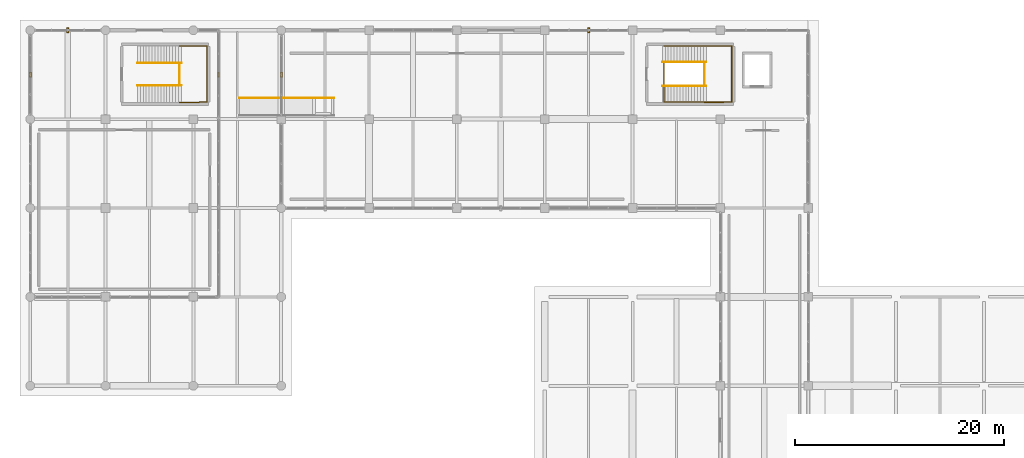
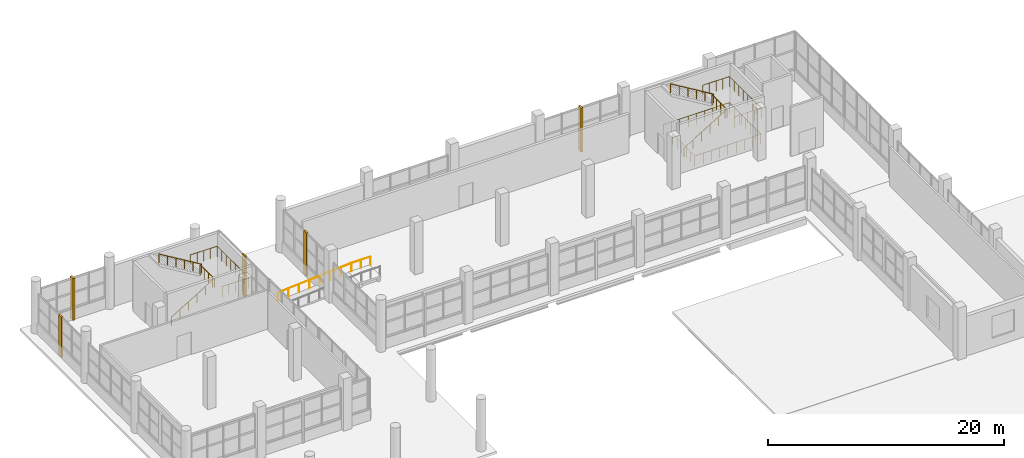
# One storey, part 105 of 107: 10 railings, 5 coverings.
"""IFC4 building model written with IfcOpenShell, lengths in metres."""

import ifcopenshell
import ifcopenshell.guid

model = None  # the IFC model being written
_history = None  # IfcOwnerHistory: only IFC2X3 demands one
_inside = {}  # id of a spatial element -> (the spatial element, [elements in it])
_under = {}  # id of a project, library or spatial element -> (it, [spatial elements below it])
_declared = {}  # id of a project -> (the project, [libraries it declares])
_typed = {}  # id of a type object -> (the type object, [elements of that type])
_made_of = {}  # id of a material, layer set ... -> (it, [elements and type objects made of it])


def new_model(schema):
    """Start an empty IFC model of exactly this schema.

    Asked for "IFC4X3", IfcOpenShell would pick the latest addendum, in which some entities
    have other attributes; the version numbers below select the first issue.
    IFC2X3 requires an IfcOwnerHistory on every rooted entity: one is made here for all.
    """
    global model, _history
    if schema == "IFC4X3":
        model = ifcopenshell.file(schema_version=(4, 3, 0, 0))
    else:
        model = ifcopenshell.file(schema=schema)
    _inside.clear()
    _under.clear()
    _declared.clear()
    _typed.clear()
    _made_of.clear()
    _history = None
    if model.schema == "IFC2X3":
        org = make("IfcOrganization", Name="unknown")
        user = make(
            "IfcPersonAndOrganization",
            ThePerson=make("IfcPerson", FamilyName="unknown"),
            TheOrganization=org,
        )
        app = make(
            "IfcApplication",
            ApplicationDeveloper=org,
            Version="unknown",
            ApplicationFullName="unknown",
            ApplicationIdentifier="unknown",
        )
        _history = make(
            "IfcOwnerHistory",
            OwningUser=user,
            OwningApplication=app,
            ChangeAction="ADDED",
            CreationDate=0,
        )
    return model


def make(cls, **values):
    """One entity of the class cls with the attributes given. An attribute that is None is left unset."""
    return model.create_entity(
        cls, **{name: value for name, value in values.items() if value is not None}
    )


def rooted(cls, **values):
    """An entity with a GlobalId (a new one), such as an element, a storey or a relation."""
    return make(cls, GlobalId=ifcopenshell.guid.new(), OwnerHistory=_history, **values)


def si_unit(unit_type, name, prefix=None):
    """IfcSIUnit, for example si_unit("LENGTHUNIT", "METRE", prefix="MILLI")."""
    return make("IfcSIUnit", UnitType=unit_type, Prefix=prefix, Name=name)


def assignment(units):
    """IfcUnitAssignment: the units of a project."""
    return None if units is None else make("IfcUnitAssignment", Units=units)


def point(xyz):
    """IfcCartesianPoint."""
    return None if xyz is None else make("IfcCartesianPoint", Coordinates=xyz)


def direction(xyz):
    """IfcDirection."""
    return None if xyz is None else make("IfcDirection", DirectionRatios=xyz)


def frame(location, z_axis=None, x_axis=None):
    """IfcAxis2Placement3D, a coordinate frame: its origin and axes. An axis left out is left unset."""
    return make(
        "IfcAxis2Placement3D",
        Location=point(location),
        Axis=direction(z_axis),
        RefDirection=direction(x_axis),
    )


def frame_2d(location, x_axis=None):
    """IfcAxis2Placement2D, a coordinate frame in the plane: its origin and x axis."""
    return make(
        "IfcAxis2Placement2D", Location=point(location), RefDirection=direction(x_axis)
    )


def origin():
    """The frame at (0, 0, 0) with its axes left unset."""
    return frame((0.0, 0.0, 0.0))


def origin_2d():
    """The frame at (0, 0) in the plane with its x axis left unset."""
    return frame_2d((0.0, 0.0))


def place(relative_to, where):
    """IfcLocalPlacement: puts the frame where relative to a parent placement (None: the world)."""
    return make(
        "IfcLocalPlacement", PlacementRelTo=relative_to, RelativePlacement=where
    )


def context(
    kind, dimensions, precision=None, world=None, true_north=None, identifier=None
):
    """IfcGeometricRepresentationContext, for example the 3D "Model" context."""
    return make(
        "IfcGeometricRepresentationContext",
        ContextIdentifier=identifier,
        ContextType=kind,
        CoordinateSpaceDimension=dimensions,
        Precision=precision,
        WorldCoordinateSystem=world,
        TrueNorth=true_north,
    )


def subcontext(parent, identifier, kind, view, scale=None):
    """IfcGeometricRepresentationSubContext, for example "Body" below "Model"."""
    return make(
        "IfcGeometricRepresentationSubContext",
        ContextIdentifier=identifier,
        ContextType=kind,
        ParentContext=parent,
        TargetScale=scale,
        TargetView=view,
    )


def project(units=None, contexts=None):
    """IfcProject with its units and contexts."""
    return rooted(
        "IfcProject",
        Name="project",
        RepresentationContexts=contexts,
        UnitsInContext=assignment(units),
    )


def spatial(cls, under=None, at=None, **own):
    """A site, building, storey or space (cls), placed at a placement, below another one or the project."""
    s = rooted(cls, ObjectPlacement=at, **own)
    if under is not None:
        _under.setdefault(under.id(), (under, []))[1].append(s)
    return s


def profile(cls, at=None, kind="AREA", **sizes):
    """A parametric profile (cls). Its sizes go by their IFC names, for example OverallWidth=200.0."""
    return make(cls, ProfileType=kind, Position=at, **sizes)


def rectangle(**sizes):
    """IfcRectangleProfileDef."""
    return profile("IfcRectangleProfileDef", **sizes)


def circle(**sizes):
    """IfcCircleProfileDef."""
    return profile("IfcCircleProfileDef", **sizes)


def extrude(swept, where, along, depth):
    """IfcExtrudedAreaSolid: the profile swept, set in the frame where, extruded along a direction by depth."""
    return make(
        "IfcExtrudedAreaSolid",
        SweptArea=swept,
        Position=where,
        ExtrudedDirection=direction(along),
        Depth=depth,
    )


def shape(context_of_items, identifier, shape_type, items):
    """IfcShapeRepresentation: the items that make up one representation, for example the "Body"."""
    return make(
        "IfcShapeRepresentation",
        ContextOfItems=context_of_items,
        RepresentationIdentifier=identifier,
        RepresentationType=shape_type,
        Items=items,
    )


def material(Name=None, Category=None):
    """IfcMaterial."""
    return make("IfcMaterial", Name=Name, Category=Category)


def layer(
    of_material, thickness, ventilated=None, Name=None, Category=None, Priority=None
):
    """IfcMaterialLayer: one layer of a wall or slab, of a material (None: an air gap)."""
    return make(
        "IfcMaterialLayer",
        Material=of_material,
        LayerThickness=thickness,
        IsVentilated=ventilated,
        Name=Name,
        Category=Category,
        Priority=Priority,
    )


def layer_set(layers, Name=None):
    """IfcMaterialLayerSet."""
    return make("IfcMaterialLayerSet", MaterialLayers=layers, LayerSetName=Name)


def made_of(thing, what):
    """Note that an element or type object is made of a material, layer set ...; save() writes the relation."""
    if what is not None:
        _made_of.setdefault(what.id(), (what, []))[1].append(thing)
    return thing


def type_object(cls, material=None, **own):
    """A type object (cls), such as IfcWallType, which elements share."""
    return made_of(rooted(cls, **own), material)


def element(
    cls,
    number,
    at=None,
    inside=None,
    cuts=None,
    type_object=None,
    material=None,
    context=None,
    identifier="Body",
    shape_type=None,
    held_by="IfcProductDefinitionShape",
    body=None,
    shapes=None,
    **own,
):
    """One element of the class cls, such as IfcWall. Its Tag is "e" and its number.

    at: its placement. inside: the storey or other place that contains it. cuts: it is an
    opening in that element (IfcRelVoidsElement). A single representation is given by context,
    identifier, shape_type and body (its items); several are given by shapes. held_by: the class
    of the entity that holds the representations. save() writes the other relations.
    """
    e = rooted(cls, Tag="e%d" % number, ObjectPlacement=at, **own)
    if body is not None:
        shapes = [shape(context, identifier, shape_type, body)]
    if shapes is not None:
        e.Representation = make(held_by, Representations=shapes)
    if inside is not None:
        _inside.setdefault(inside.id(), (inside, []))[1].append(e)
    if cuts is not None:
        rooted(
            "IfcRelVoidsElement", RelatingBuildingElement=cuts, RelatedOpeningElement=e
        )
    if type_object is not None:
        _typed.setdefault(type_object.id(), (type_object, []))[1].append(e)
    return made_of(e, material)


def aggregate(whole, parts):
    """IfcRelAggregates: a whole, such as a stair, and the parts it consists of."""
    return rooted("IfcRelAggregates", RelatingObject=whole, RelatedObjects=parts)


def save(model, path):
    """Write the relations noted so far, then the file.

    IfcRelAggregates (storeys below a building ...), IfcRelContainedInSpatialStructure (elements
    in a storey), IfcRelDefinesByType, IfcRelAssociatesMaterial and IfcRelDeclares: one each for
    every whole, place, type object, material and project.
    """
    for whole, parts in _under.values():
        aggregate(whole, parts)
    for where, things in _inside.values():
        rooted(
            "IfcRelContainedInSpatialStructure",
            RelatedElements=things,
            RelatingStructure=where,
        )
    for kind, things in _typed.values():
        rooted("IfcRelDefinesByType", RelatedObjects=things, RelatingType=kind)
    for what, things in _made_of.values():
        rooted("IfcRelAssociatesMaterial", RelatedObjects=things, RelatingMaterial=what)
    for by, libraries in _declared.values():
        rooted("IfcRelDeclares", RelatingContext=by, RelatedDefinitions=libraries)
    model.write(path)


model = new_model("IFC4")

# Units and contexts
model_context = context("Model", 3, precision=1e-05, world=origin(), true_north=direction((0.0, 1.0)))
body_context = subcontext(model_context, "Body", "Model", "MODEL_VIEW")
ifc_project = project(units=[si_unit("LENGTHUNIT", "METRE"), si_unit("AREAUNIT", "SQUARE_METRE"), si_unit("VOLUMEUNIT", "CUBIC_METRE"), si_unit("PLANEANGLEUNIT", "RADIAN"), si_unit("MASSUNIT", "GRAM", prefix="KILO")], contexts=[model_context])

# Site, building, storey
site_placement = place(None, origin())
site = spatial("IfcSite", under=ifc_project, at=site_placement, CompositionType="ELEMENT")
building_placement = place(site_placement, origin())
building = spatial("IfcBuilding", under=site, at=building_placement, Name="Solvento Point Concert Hall", CompositionType="ELEMENT")
storey_placement = place(building_placement, origin())
storey = spatial("IfcBuildingStorey", under=building, at=storey_placement, Name="L00", CompositionType="ELEMENT", Elevation=0.0)

# Coverings
ifc_material_1 = material(Name="Precast concrete C45/55", Category="concrete")
ifc_layer = layer(ifc_material_1, 0.179931640625)
ifc_layer_set = layer_set([ifc_layer], Name="Precast concrete C45/55")
covering_type = type_object("IfcCoveringType", Name="BriseSoleilFin_Precast", PredefinedType="CLADDING", material=ifc_layer_set)
covering_1_placement = place(storey_placement, frame((24.0, 131.742431640625, 0.0), z_axis=(0.0, 0.0, 1.0), x_axis=(1.0, 0.0, 0.0)))
element("IfcCovering", 1, at=covering_1_placement, inside=storey, type_object=covering_type, Name="Precast concrete vertical solar fin BSF-01", PredefinedType="CLADDING", context=body_context, shape_type="SweptSolid", body=[
    extrude(rectangle(XDim=0.179931640625, YDim=0.47998046875, at=origin_2d()), origin(), (0.0, 0.0, 1.0), 4.49609375),
])
covering_2_placement = place(storey_placement, frame((53.39990234375, 136.0, 0.0), z_axis=(0.0, 0.0, 1.0), x_axis=(1.0, 0.0, 0.0)))
element("IfcCovering", 2, at=covering_2_placement, inside=storey, type_object=covering_type, Name="Precast concrete vertical solar fin BSF-01", PredefinedType="CLADDING", context=body_context, shape_type="SweptSolid", body=[
    extrude(rectangle(XDim=0.179931640625, YDim=0.47998046875, at=origin_2d()), origin(), (0.0, 0.0, 1.0), 4.554931640625),
])
covering_3_placement = place(storey_placement, frame((3.60009765625, 136.0, 0.0), z_axis=(0.0, 0.0, 1.0), x_axis=(1.0, 0.0, 0.0)))
element("IfcCovering", 3, at=covering_3_placement, inside=storey, type_object=covering_type, Name="Precast concrete vertical solar fin BSF-01", PredefinedType="CLADDING", context=body_context, shape_type="SweptSolid", body=[
    extrude(rectangle(XDim=0.179931640625, YDim=0.47998046875, at=origin_2d()), origin(), (0.0, 0.0, 1.0), 4.333984375),
])
for number, where, z_axis, x_axis, name in (
    (4, (18.0, 131.75, 0.0), (0.0, 0.0, 1.0), (1.0, 0.0, 0.0), "Precast concrete vertical solar fin BSF-01"),
    (5, (0.0, 131.75, 0.0), (0.0, 0.0, 1.0), (1.0, 0.0, 0.0), "Precast concrete vertical solar fin BSF-01"),
):
    element("IfcCovering", number, at=place(storey_placement, frame(where, z_axis=z_axis, x_axis=x_axis)), inside=storey, type_object=covering_type, Name=name, PredefinedType="CLADDING", context=body_context, shape_type="SweptSolid", body=[
        extrude(rectangle(XDim=0.179931640625, YDim=0.47998046875, at=origin_2d()), origin(), (0.0, 0.0, 1.0), 4.177001953125),
    ])

# Railings
ifc_material_2 = material(Name="Brushed Stainless Steel Balustrade", Category="steel")
railing_type_1 = type_object("IfcRailingType", Name="StairHandrail_915", PredefinedType="HANDRAIL", material=ifc_material_2)
railing_1_placement = place(storey_placement, frame((60.449951171875, 130.64990234375, 0.168701171875)))
element("IfcRailing", 6, at=railing_1_placement, inside=storey, type_object=railing_type_1, Name="Stair handrail HR-01 ST-04 L00 F1", PredefinedType="HANDRAIL", context=body_context, shape_type="SweptSolid", body=[
    extrude(circle(Radius=0.0224609375, at=origin_2d()), frame((0.0, 0.0, 0.892578125), z_axis=(0.856476492594, 0.0, 0.516186030065), x_axis=(0.0, 1.0, 0.0)), (0.0, 0.0, 1.0), 4.90380859375),
    extrude(circle(Radius=0.01904296875, at=origin_2d()), origin(), (0.0, 0.0, 1.0), 0.8701171875),
    extrude(circle(Radius=0.01904296875, at=origin_2d()), frame((0.840087890625, 0.0, 0.50634765625)), (0.0, 0.0, 1.0), 0.8701171875),
    extrude(circle(Radius=0.01904296875, at=origin_2d()), frame((1.679931640625, 0.0, 1.012451171875)), (0.0, 0.0, 1.0), 0.8701171875),
    extrude(circle(Radius=0.01904296875, at=origin_2d()), frame((2.52001953125, 0.0, 1.518798828125)), (0.0, 0.0, 1.0), 0.8701171875),
    extrude(circle(Radius=0.01904296875, at=origin_2d()), frame((3.35986328125, 0.0, 2.02490234375)), (0.0, 0.0, 1.0), 0.8701171875),
    extrude(circle(Radius=0.01904296875, at=origin_2d()), frame((4.199951171875, 0.0, 2.53125)), (0.0, 0.0, 1.0), 0.8701171875),
])
railing_2_placement = place(storey_placement, frame((64.64990234375, 132.949951171875, 2.868896484375)))
element("IfcRailing", 7, at=railing_2_placement, inside=storey, type_object=railing_type_1, Name="Stair handrail HR-01 ST-04 L00 F2", PredefinedType="HANDRAIL", context=body_context, shape_type="SweptSolid", body=[
    extrude(circle(Radius=0.0224609375, at=origin_2d()), frame((0.0, 0.0, 0.892578125), z_axis=(-0.856498503035, 0.0, 0.5161495077), x_axis=(0.0, -1.0, 0.0)), (0.0, 0.0, 1.0), 4.903564453125),
    extrude(circle(Radius=0.01904296875, at=origin_2d()), origin(), (0.0, 0.0, 1.0), 0.8701171875),
    extrude(circle(Radius=0.01904296875, at=origin_2d()), frame((-0.840087890625, 0.0, 0.506103515625)), (0.0, 0.0, 1.0), 0.8701171875),
    extrude(circle(Radius=0.01904296875, at=origin_2d()), frame((-1.679931640625, 0.0, 1.012451171875)), (0.0, 0.0, 1.0), 0.8701171875),
    extrude(circle(Radius=0.01904296875, at=origin_2d()), frame((-2.52001953125, 0.0, 1.5185546875)), (0.0, 0.0, 1.0), 0.8701171875),
    extrude(circle(Radius=0.01904296875, at=origin_2d()), frame((-3.35986328125, 0.0, 2.02490234375)), (0.0, 0.0, 1.0), 0.8701171875),
    extrude(circle(Radius=0.01904296875, at=origin_2d()), frame((-4.199951171875, 0.0, 2.531005859375)), (0.0, 0.0, 1.0), 0.8701171875),
])
railing_3_placement = place(storey_placement, frame((10.25, 130.72998046875, 0.168701171875)))
element("IfcRailing", 8, at=railing_3_placement, inside=storey, type_object=railing_type_1, Name="Stair handrail HR-01 ST-05 L00 F1", PredefinedType="HANDRAIL", context=body_context, shape_type="SweptSolid", body=[
    extrude(circle(Radius=0.0224609375, at=origin_2d()), frame((0.0, 0.0, 0.892578125), z_axis=(0.856476492594, 0.0, 0.516186030065), x_axis=(0.0, 1.0, 0.0)), (0.0, 0.0, 1.0), 4.90380859375),
    extrude(circle(Radius=0.01904296875, at=origin_2d()), origin(), (0.0, 0.0, 1.0), 0.8701171875),
    extrude(circle(Radius=0.01904296875, at=origin_2d()), frame((0.840087890625, 0.0, 0.50634765625)), (0.0, 0.0, 1.0), 0.8701171875),
    extrude(circle(Radius=0.01904296875, at=origin_2d()), frame((1.679931640625, 0.0, 1.012451171875)), (0.0, 0.0, 1.0), 0.8701171875),
    extrude(circle(Radius=0.01904296875, at=origin_2d()), frame((2.52001953125, 0.0, 1.518798828125)), (0.0, 0.0, 1.0), 0.8701171875),
    extrude(circle(Radius=0.01904296875, at=origin_2d()), frame((3.35986328125, 0.0, 2.02490234375)), (0.0, 0.0, 1.0), 0.8701171875),
    extrude(circle(Radius=0.01904296875, at=origin_2d()), frame((4.199951171875, 0.0, 2.53125)), (0.0, 0.0, 1.0), 0.8701171875),
])
railing_4_placement = place(storey_placement, frame((14.449951171875, 132.8701171875, 2.868896484375)))
element("IfcRailing", 9, at=railing_4_placement, inside=storey, type_object=railing_type_1, Name="Stair handrail HR-01 ST-05 L00 F2", PredefinedType="HANDRAIL", context=body_context, shape_type="SweptSolid", body=[
    extrude(circle(Radius=0.0224609375, at=origin_2d()), frame((0.0, 0.0, 0.892578125), z_axis=(-0.856498503035, 0.0, 0.5161495077), x_axis=(0.0, -1.0, 0.0)), (0.0, 0.0, 1.0), 4.903564453125),
    extrude(circle(Radius=0.01904296875, at=origin_2d()), origin(), (0.0, 0.0, 1.0), 0.8701171875),
    extrude(circle(Radius=0.01904296875, at=origin_2d()), frame((-0.840087890625, 0.0, 0.506103515625)), (0.0, 0.0, 1.0), 0.8701171875),
    extrude(circle(Radius=0.01904296875, at=origin_2d()), frame((-1.679931640625, 0.0, 1.012451171875)), (0.0, 0.0, 1.0), 0.8701171875),
    extrude(circle(Radius=0.01904296875, at=origin_2d()), frame((-2.52001953125, 0.0, 1.5185546875)), (0.0, 0.0, 1.0), 0.8701171875),
    extrude(circle(Radius=0.01904296875, at=origin_2d()), frame((-3.35986328125, 0.0, 2.02490234375)), (0.0, 0.0, 1.0), 0.8701171875),
    extrude(circle(Radius=0.01904296875, at=origin_2d()), frame((-4.199951171875, 0.0, 2.531005859375)), (0.0, 0.0, 1.0), 0.8701171875),
])
railing_5_placement = place(storey_placement, frame((20.0, 129.5400390625, 0.0)))
element("IfcRailing", 10, at=railing_5_placement, inside=storey, type_object=railing_type_1, Name="Accessible ramp handrail HR-01 RMP-H3", PredefinedType="HANDRAIL", context=body_context, shape_type="SweptSolid", body=[
    extrude(circle(Radius=0.02099609375, at=origin_2d()), frame((0.0, 0.0, 0.89404296875), z_axis=(0.997094523106, 0.0, 0.076174221307), x_axis=(0.0, 1.0, 0.0)), (0.0, 0.0, 1.0), 7.220947265625),
    extrude(circle(Radius=0.02099609375, at=origin_2d()), frame((7.199951171875, 0.0, 1.444091796875), z_axis=(1.0, 0.0, 0.0), x_axis=(0.0, 1.0, 0.0)), (0.0, 0.0, 1.0), 1.85009765625),
    extrude(circle(Radius=0.01904296875, at=origin_2d()), origin(), (0.0, 0.0, 1.0), 0.873046875),
    extrude(circle(Radius=0.01904296875, at=origin_2d()), frame((1.028564453125, 0.0, 0.07861328125)), (0.0, 0.0, 1.0), 0.873046875),
    extrude(circle(Radius=0.01904296875, at=origin_2d()), frame((2.05712890625, 0.0, 0.1572265625)), (0.0, 0.0, 1.0), 0.873046875),
    extrude(circle(Radius=0.01904296875, at=origin_2d()), frame((3.085693359375, 0.0, 0.23583984375)), (0.0, 0.0, 1.0), 0.873046875),
    extrude(circle(Radius=0.01904296875, at=origin_2d()), frame((4.1142578125, 0.0, 0.314208984375)), (0.0, 0.0, 1.0), 0.873046875),
    extrude(circle(Radius=0.01904296875, at=origin_2d()), frame((5.142822265625, 0.0, 0.392822265625)), (0.0, 0.0, 1.0), 0.873046875),
    extrude(circle(Radius=0.01904296875, at=origin_2d()), frame((6.17138671875, 0.0, 0.471435546875)), (0.0, 0.0, 1.0), 0.873046875),
    extrude(circle(Radius=0.01904296875, at=origin_2d()), frame((7.199951171875, 0.0, 0.550048828125)), (0.0, 0.0, 1.0), 0.873046875),
    extrude(circle(Radius=0.01904296875, at=origin_2d()), frame((8.125, 0.0, 0.550048828125)), (0.0, 0.0, 1.0), 0.873046875),
    extrude(circle(Radius=0.01904296875, at=origin_2d()), frame((9.050048828125, 0.0, 0.550048828125)), (0.0, 0.0, 1.0), 0.873046875),
])
ifc_material_3 = material(Name="Brushed Stainless Steel Balustrade", Category="steel")
railing_type_2 = type_object("IfcRailingType", Name="StairWellGuard_1100", PredefinedType="BALUSTRADE", material=ifc_material_3)
railing_6_placement = place(storey_placement, frame((60.6201171875, 132.89990234375, 0.0)))
element("IfcRailing", 11, at=railing_6_placement, inside=storey, type_object=railing_type_2, Name="Stairwell guard GR-02 ST-04 L00", PredefinedType="BALUSTRADE", context=body_context, shape_type="SweptSolid", body=[
    extrude(circle(Radius=0.02392578125, at=origin_2d()), frame((0.0, 0.0, 1.09619140625), z_axis=(0.0, -1.0, 0.0), x_axis=(1.0, 0.0, 0.0)), (0.0, 0.0, 1.0), 3.77978515625),
    extrude(circle(Radius=0.02392578125, at=origin_2d()), frame((0.0, -3.77978515625, 1.09619140625), z_axis=(1.0, 0.0, 0.0), x_axis=(0.0, 1.0, 0.0)), (0.0, 0.0, 1.0), 6.4599609375),
    extrude(circle(Radius=0.02392578125, at=origin_2d()), frame((6.4599609375, -3.77978515625, 1.09619140625), z_axis=(0.0, 1.0, 0.0), x_axis=(-1.0, 0.0, 0.0)), (0.0, 0.0, 1.0), 5.35986328125),
    extrude(circle(Radius=0.02392578125, at=origin_2d()), frame((6.4599609375, 1.580078125, 1.09619140625), z_axis=(-1.0, 0.0, 0.0), x_axis=(0.0, -1.0, 0.0)), (0.0, 0.0, 1.0), 6.4599609375),
    extrude(circle(Radius=0.02392578125, at=origin_2d()), frame((0.0, 1.580078125, 1.09619140625), z_axis=(0.0, 1.0, 0.0), x_axis=(-1.0, 0.0, 0.0)), (0.0, 0.0, 1.0), 0.02001953125),
    extrude(circle(Radius=0.02099609375, at=origin_2d()), origin(), (0.0, 0.0, 1.0), 1.072021484375),
    extrude(circle(Radius=0.02099609375, at=origin_2d()), frame((0.0, -0.755859375, 0.0)), (0.0, 0.0, 1.0), 1.072021484375),
    extrude(circle(Radius=0.02099609375, at=origin_2d()), frame((0.0, -1.511962890625, 0.0)), (0.0, 0.0, 1.0), 1.072021484375),
    extrude(circle(Radius=0.02099609375, at=origin_2d()), frame((0.0, -2.267822265625, 0.0)), (0.0, 0.0, 1.0), 1.072021484375),
    extrude(circle(Radius=0.02099609375, at=origin_2d()), frame((0.0, -3.02392578125, 0.0)), (0.0, 0.0, 1.0), 1.072021484375),
    extrude(circle(Radius=0.02099609375, at=origin_2d()), frame((0.0, -3.77978515625, 0.0)), (0.0, 0.0, 1.0), 1.072021484375),
    extrude(circle(Radius=0.02099609375, at=origin_2d()), frame((0.8076171875, -3.77978515625, 0.0)), (0.0, 0.0, 1.0), 1.072021484375),
    extrude(circle(Radius=0.02099609375, at=origin_2d()), frame((1.614990234375, -3.77978515625, 0.0)), (0.0, 0.0, 1.0), 1.072021484375),
    extrude(circle(Radius=0.02099609375, at=origin_2d()), frame((2.42236328125, -3.77978515625, 0.0)), (0.0, 0.0, 1.0), 1.072021484375),
    extrude(circle(Radius=0.02099609375, at=origin_2d()), frame((3.22998046875, -3.77978515625, 0.0)), (0.0, 0.0, 1.0), 1.072021484375),
    extrude(circle(Radius=0.02099609375, at=origin_2d()), frame((4.03759765625, -3.77978515625, 0.0)), (0.0, 0.0, 1.0), 1.072021484375),
    extrude(circle(Radius=0.02099609375, at=origin_2d()), frame((4.844970703125, -3.77978515625, 0.0)), (0.0, 0.0, 1.0), 1.072021484375),
    extrude(circle(Radius=0.02099609375, at=origin_2d()), frame((5.65234375, -3.77978515625, 0.0)), (0.0, 0.0, 1.0), 1.072021484375),
    extrude(circle(Radius=0.02099609375, at=origin_2d()), frame((6.4599609375, -3.77978515625, 0.0)), (0.0, 0.0, 1.0), 1.072021484375),
    extrude(circle(Radius=0.02099609375, at=origin_2d()), frame((6.4599609375, -2.886474609375, 0.0)), (0.0, 0.0, 1.0), 1.072021484375),
    extrude(circle(Radius=0.02099609375, at=origin_2d()), frame((6.4599609375, -1.9931640625, 0.0)), (0.0, 0.0, 1.0), 1.072021484375),
    extrude(circle(Radius=0.02099609375, at=origin_2d()), frame((6.4599609375, -1.099853515625, 0.0)), (0.0, 0.0, 1.0), 1.072021484375),
    extrude(circle(Radius=0.02099609375, at=origin_2d()), frame((6.4599609375, -0.20654296875, 0.0)), (0.0, 0.0, 1.0), 1.072021484375),
    extrude(circle(Radius=0.02099609375, at=origin_2d()), frame((6.4599609375, 0.686767578125, 0.0)), (0.0, 0.0, 1.0), 1.072021484375),
    extrude(circle(Radius=0.02099609375, at=origin_2d()), frame((6.4599609375, 1.580078125, 0.0)), (0.0, 0.0, 1.0), 1.072021484375),
    extrude(circle(Radius=0.02099609375, at=origin_2d()), frame((5.65234375, 1.580078125, 0.0)), (0.0, 0.0, 1.0), 1.072021484375),
    extrude(circle(Radius=0.02099609375, at=origin_2d()), frame((4.844970703125, 1.580078125, 0.0)), (0.0, 0.0, 1.0), 1.072021484375),
    extrude(circle(Radius=0.02099609375, at=origin_2d()), frame((4.03759765625, 1.580078125, 0.0)), (0.0, 0.0, 1.0), 1.072021484375),
    extrude(circle(Radius=0.02099609375, at=origin_2d()), frame((3.22998046875, 1.580078125, 0.0)), (0.0, 0.0, 1.0), 1.072021484375),
    extrude(circle(Radius=0.02099609375, at=origin_2d()), frame((2.42236328125, 1.580078125, 0.0)), (0.0, 0.0, 1.0), 1.072021484375),
    extrude(circle(Radius=0.02099609375, at=origin_2d()), frame((1.614990234375, 1.580078125, 0.0)), (0.0, 0.0, 1.0), 1.072021484375),
    extrude(circle(Radius=0.02099609375, at=origin_2d()), frame((0.8076171875, 1.580078125, 0.0)), (0.0, 0.0, 1.0), 1.072021484375),
    extrude(circle(Radius=0.02099609375, at=origin_2d()), frame((0.0, 1.580078125, 0.0)), (0.0, 0.0, 1.0), 1.072021484375),
    extrude(circle(Radius=0.02099609375, at=origin_2d()), frame((0.0, 1.60009765625, 0.0)), (0.0, 0.0, 1.0), 1.072021484375),
])
railing_7_placement = place(storey_placement, frame((64.47998046875, 129.10009765625, 2.699951171875)))
element("IfcRailing", 12, at=railing_7_placement, inside=storey, type_object=railing_type_2, Name="Half-landing perimeter guard GR-02 ST-04 L00", PredefinedType="BALUSTRADE", context=body_context, shape_type="SweptSolid", body=[
    extrude(circle(Radius=0.02392578125, at=origin_2d()), frame((0.0, 0.0, 1.09619140625), z_axis=(0.999970811124, 0.007640477685, 0.0), x_axis=(-0.007640477685, 0.999970811124, 0.0)), (0.0, 0.0, 1.0), 2.6201171875),
    extrude(circle(Radius=0.02392578125, at=origin_2d()), frame((2.6201171875, 0.02001953125, 1.09619140625), z_axis=(0.0, 1.0, 0.0), x_axis=(-1.0, 0.0, 0.0)), (0.0, 0.0, 1.0), 5.35986328125),
    extrude(circle(Radius=0.02392578125, at=origin_2d()), frame((2.6201171875, 5.3798828125, 1.09619140625), z_axis=(-0.999970811124, 0.007640477685, 0.0), x_axis=(-0.007640477685, -0.999970811124, 0.0)), (0.0, 0.0, 1.0), 2.6201171875),
    extrude(circle(Radius=0.02099609375, at=origin_2d()), origin(), (0.0, 0.0, 1.0), 1.072021484375),
    extrude(circle(Radius=0.02099609375, at=origin_2d()), frame((0.655029296875, 0.0048828125, 0.0)), (0.0, 0.0, 1.0), 1.072021484375),
    extrude(circle(Radius=0.02099609375, at=origin_2d()), frame((1.31005859375, 0.010009765625, 0.0)), (0.0, 0.0, 1.0), 1.072021484375),
    extrude(circle(Radius=0.02099609375, at=origin_2d()), frame((1.965087890625, 0.01513671875, 0.0)), (0.0, 0.0, 1.0), 1.072021484375),
    extrude(circle(Radius=0.02099609375, at=origin_2d()), frame((2.6201171875, 0.02001953125, 0.0)), (0.0, 0.0, 1.0), 1.072021484375),
    extrude(circle(Radius=0.02099609375, at=origin_2d()), frame((2.6201171875, 0.78564453125, 0.0)), (0.0, 0.0, 1.0), 1.072021484375),
    extrude(circle(Radius=0.02099609375, at=origin_2d()), frame((2.6201171875, 1.551513671875, 0.0)), (0.0, 0.0, 1.0), 1.072021484375),
    extrude(circle(Radius=0.02099609375, at=origin_2d()), frame((2.6201171875, 2.317138671875, 0.0)), (0.0, 0.0, 1.0), 1.072021484375),
    extrude(circle(Radius=0.02099609375, at=origin_2d()), frame((2.6201171875, 3.082763671875, 0.0)), (0.0, 0.0, 1.0), 1.072021484375),
    extrude(circle(Radius=0.02099609375, at=origin_2d()), frame((2.6201171875, 3.848388671875, 0.0)), (0.0, 0.0, 1.0), 1.072021484375),
    extrude(circle(Radius=0.02099609375, at=origin_2d()), frame((2.6201171875, 4.6142578125, 0.0)), (0.0, 0.0, 1.0), 1.072021484375),
    extrude(circle(Radius=0.02099609375, at=origin_2d()), frame((2.6201171875, 5.3798828125, 0.0)), (0.0, 0.0, 1.0), 1.072021484375),
    extrude(circle(Radius=0.02099609375, at=origin_2d()), frame((1.965087890625, 5.384765625, 0.0)), (0.0, 0.0, 1.0), 1.072021484375),
    extrude(circle(Radius=0.02099609375, at=origin_2d()), frame((1.31005859375, 5.389892578125, 0.0)), (0.0, 0.0, 1.0), 1.072021484375),
    extrude(circle(Radius=0.02099609375, at=origin_2d()), frame((0.655029296875, 5.39501953125, 0.0)), (0.0, 0.0, 1.0), 1.072021484375),
    extrude(circle(Radius=0.02099609375, at=origin_2d()), frame((0.0, 5.39990234375, 0.0)), (0.0, 0.0, 1.0), 1.072021484375),
])
railing_8_placement = place(storey_placement, frame((64.47998046875, 130.699951171875, 2.699951171875)))
element("IfcRailing", 13, at=railing_8_placement, inside=storey, type_object=railing_type_2, Name="Half-landing slot guard GR-02 ST-04 L00", PredefinedType="BALUSTRADE", context=body_context, shape_type="SweptSolid", body=[
    extrude(circle(Radius=0.02392578125, at=origin_2d()), frame((0.0, 0.0, 1.09619140625), z_axis=(0.0, 1.0, 0.0), x_axis=(-1.0, 0.0, 0.0)), (0.0, 0.0, 1.0), 2.199951171875),
    extrude(circle(Radius=0.02099609375, at=origin_2d()), origin(), (0.0, 0.0, 1.0), 1.072021484375),
    extrude(circle(Radius=0.02099609375, at=origin_2d()), frame((0.0, 0.7333984375, 0.0)), (0.0, 0.0, 1.0), 1.072021484375),
    extrude(circle(Radius=0.02099609375, at=origin_2d()), frame((0.0, 1.466552734375, 0.0)), (0.0, 0.0, 1.0), 1.072021484375),
    extrude(circle(Radius=0.02099609375, at=origin_2d()), frame((0.0, 2.199951171875, 0.0)), (0.0, 0.0, 1.0), 1.072021484375),
])
railing_9_placement = place(storey_placement, frame((14.280029296875, 129.10009765625, 2.699951171875)))
element("IfcRailing", 14, at=railing_9_placement, inside=storey, type_object=railing_type_2, Name="Half-landing perimeter guard GR-02 ST-05 L00", PredefinedType="BALUSTRADE", context=body_context, shape_type="SweptSolid", body=[
    extrude(circle(Radius=0.02392578125, at=origin_2d()), frame((0.0, 0.0, 1.09619140625), z_axis=(0.999970805684, 0.007641189644, 0.0), x_axis=(-0.007641189644, 0.999970805684, 0.0)), (0.0, 0.0, 1.0), 2.619873046875),
    extrude(circle(Radius=0.02392578125, at=origin_2d()), frame((2.619873046875, 0.02001953125, 1.09619140625), z_axis=(0.0, 1.0, 0.0), x_axis=(-1.0, 0.0, 0.0)), (0.0, 0.0, 1.0), 5.35986328125),
    extrude(circle(Radius=0.02392578125, at=origin_2d()), frame((2.619873046875, 5.3798828125, 1.09619140625), z_axis=(-0.999970805684, 0.007641189644, 0.0), x_axis=(-0.007641189644, -0.999970805684, 0.0)), (0.0, 0.0, 1.0), 2.619873046875),
    extrude(circle(Radius=0.02099609375, at=origin_2d()), origin(), (0.0, 0.0, 1.0), 1.072021484375),
    extrude(circle(Radius=0.02099609375, at=origin_2d()), frame((0.655029296875, 0.0048828125, 0.0)), (0.0, 0.0, 1.0), 1.072021484375),
    extrude(circle(Radius=0.02099609375, at=origin_2d()), frame((1.31005859375, 0.010009765625, 0.0)), (0.0, 0.0, 1.0), 1.072021484375),
    extrude(circle(Radius=0.02099609375, at=origin_2d()), frame((1.96484375, 0.01513671875, 0.0)), (0.0, 0.0, 1.0), 1.072021484375),
    extrude(circle(Radius=0.02099609375, at=origin_2d()), frame((2.619873046875, 0.02001953125, 0.0)), (0.0, 0.0, 1.0), 1.072021484375),
    extrude(circle(Radius=0.02099609375, at=origin_2d()), frame((2.619873046875, 0.78564453125, 0.0)), (0.0, 0.0, 1.0), 1.072021484375),
    extrude(circle(Radius=0.02099609375, at=origin_2d()), frame((2.619873046875, 1.551513671875, 0.0)), (0.0, 0.0, 1.0), 1.072021484375),
    extrude(circle(Radius=0.02099609375, at=origin_2d()), frame((2.619873046875, 2.317138671875, 0.0)), (0.0, 0.0, 1.0), 1.072021484375),
    extrude(circle(Radius=0.02099609375, at=origin_2d()), frame((2.619873046875, 3.082763671875, 0.0)), (0.0, 0.0, 1.0), 1.072021484375),
    extrude(circle(Radius=0.02099609375, at=origin_2d()), frame((2.619873046875, 3.848388671875, 0.0)), (0.0, 0.0, 1.0), 1.072021484375),
    extrude(circle(Radius=0.02099609375, at=origin_2d()), frame((2.619873046875, 4.6142578125, 0.0)), (0.0, 0.0, 1.0), 1.072021484375),
    extrude(circle(Radius=0.02099609375, at=origin_2d()), frame((2.619873046875, 5.3798828125, 0.0)), (0.0, 0.0, 1.0), 1.072021484375),
    extrude(circle(Radius=0.02099609375, at=origin_2d()), frame((1.96484375, 5.384765625, 0.0)), (0.0, 0.0, 1.0), 1.072021484375),
    extrude(circle(Radius=0.02099609375, at=origin_2d()), frame((1.31005859375, 5.389892578125, 0.0)), (0.0, 0.0, 1.0), 1.072021484375),
    extrude(circle(Radius=0.02099609375, at=origin_2d()), frame((0.655029296875, 5.39501953125, 0.0)), (0.0, 0.0, 1.0), 1.072021484375),
    extrude(circle(Radius=0.02099609375, at=origin_2d()), frame((0.0, 5.39990234375, 0.0)), (0.0, 0.0, 1.0), 1.072021484375),
])
railing_10_placement = place(storey_placement, frame((14.280029296875, 130.780029296875, 2.699951171875)))
element("IfcRailing", 15, at=railing_10_placement, inside=storey, type_object=railing_type_2, Name="Half-landing slot guard GR-02 ST-05 L00", PredefinedType="BALUSTRADE", context=body_context, shape_type="SweptSolid", body=[
    extrude(circle(Radius=0.02392578125, at=origin_2d()), frame((0.0, 0.0, 1.09619140625), z_axis=(0.0, 1.0, 0.0), x_axis=(-1.0, 0.0, 0.0)), (0.0, 0.0, 1.0), 2.0400390625),
    extrude(circle(Radius=0.02099609375, at=origin_2d()), origin(), (0.0, 0.0, 1.0), 1.072021484375),
    extrude(circle(Radius=0.02099609375, at=origin_2d()), frame((0.0, 0.679931640625, 0.0)), (0.0, 0.0, 1.0), 1.072021484375),
    extrude(circle(Radius=0.02099609375, at=origin_2d()), frame((0.0, 1.360107421875, 0.0)), (0.0, 0.0, 1.0), 1.072021484375),
    extrude(circle(Radius=0.02099609375, at=origin_2d()), frame((0.0, 2.0400390625, 0.0)), (0.0, 0.0, 1.0), 1.072021484375),
])

save(model, "model.ifc")
